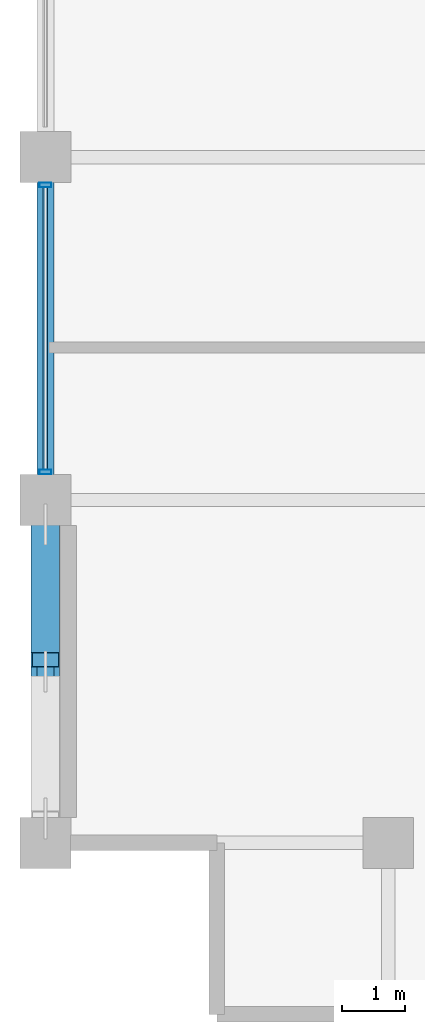
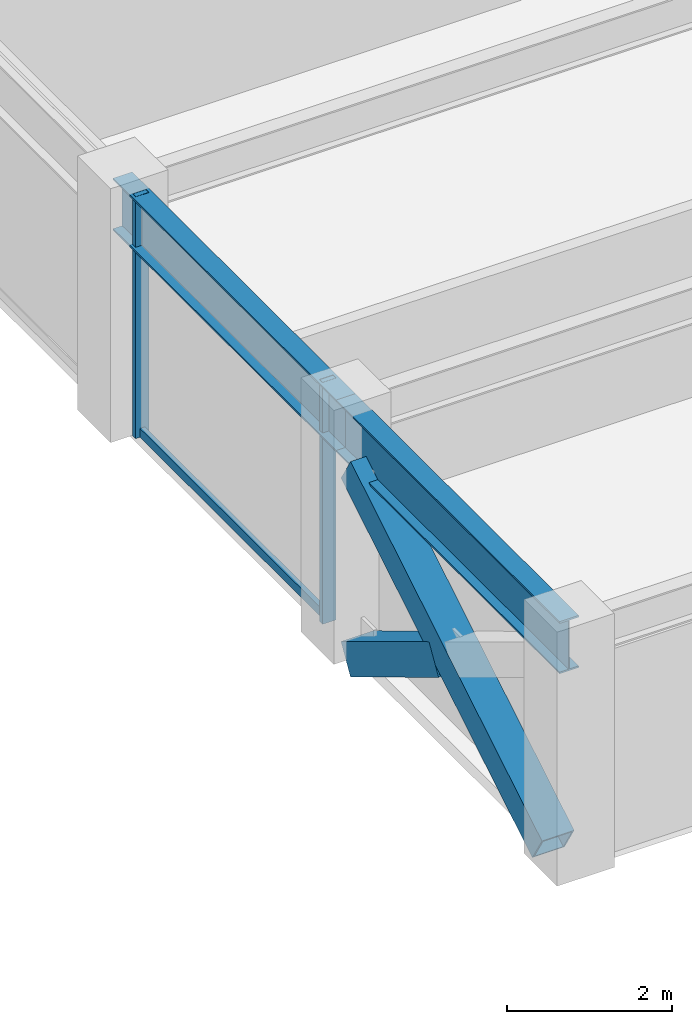
# One storey, part 4 of 32: 5 members, 2 beams, 1 element without a shape of its own.
"""IFC4 building model written with IfcOpenShell, lengths in metres."""

from ifc_helpers import new_model, si_unit, direction, frame, origin, origin_2d, place, context, subcontext, project, spatial, hollow_rectangle, i_section, extrude, material, layer, layer_set, material_profile, profile_set, type_object, element, aggregate, save


model = new_model("IFC4")

# Units and contexts
model_context = context("Model", 3, precision=1e-05, world=origin(), true_north=direction((0.0, 1.0)))
body_context = subcontext(model_context, "Body", "Model", "MODEL_VIEW")
ifc_project = project(units=[si_unit("LENGTHUNIT", "METRE"), si_unit("AREAUNIT", "SQUARE_METRE"), si_unit("VOLUMEUNIT", "CUBIC_METRE"), si_unit("PLANEANGLEUNIT", "RADIAN"), si_unit("MASSUNIT", "GRAM", prefix="KILO")], contexts=[model_context])

# Site, building, storey
site_placement = place(None, origin())
site = spatial("IfcSite", under=ifc_project, at=site_placement, CompositionType="ELEMENT")
building_placement = place(site_placement, origin())
building = spatial("IfcBuilding", under=site, at=building_placement, Name="Surkhivell Harbour Commons", CompositionType="ELEMENT")
storey_placement = place(building_placement, frame((0.0, 0.0, 223.5)))
storey = spatial("IfcBuildingStorey", under=building, at=storey_placement, Name="L58", CompositionType="ELEMENT", Elevation=223.5)

# Beams
ifc_material_1 = material(Name="Steel S355", Category="steel")
ifc_material_profile_1 = material_profile(ifc_material_1, i_section(OverallWidth=0.26806640625, OverallDepth=0.77001953125, WebThickness=0.015625, FlangeThickness=0.025390625, at=origin_2d()), Name="UB762x267x197")
ifc_profile_set_1 = profile_set([ifc_material_profile_1], Name="Steel S355")
beam_type = type_object("IfcBeamType", Name="BM-SPN-762", PredefinedType="SPANDREL", material=ifc_profile_set_1)
beam_1_placement = place(storey_placement, frame((-27.0, -16.199951171875, 3.18505859375), z_axis=(0.0, 1.0, 0.0), x_axis=(-1.0, 0.0, 0.0)))
element("IfcBeam", 1, at=beam_1_placement, inside=storey, type_object=beam_type, Name="L58 Tube Spandrel (-27.0,-16.2)", PredefinedType="SPANDREL", context=body_context, shape_type="SweptSolid", body=[
    extrude(i_section(OverallWidth=0.26806640625, OverallDepth=0.77001953125, WebThickness=0.015625, FlangeThickness=0.025390625, at=origin_2d()), origin(), (0.0, 0.0, 1.0), 5.39990234375),
])
beam_2_placement = place(storey_placement, frame((-27.0, -10.800048828125, 3.18505859375), z_axis=(0.0, 1.0, 0.0), x_axis=(-1.0, 0.0, 0.0)))
element("IfcBeam", 2, at=beam_2_placement, inside=storey, type_object=beam_type, Name="L58 Tube Spandrel (-27.0,-10.8)", PredefinedType="SPANDREL", context=body_context, shape_type="SweptSolid", body=[
    extrude(i_section(OverallWidth=0.26806640625, OverallDepth=0.77001953125, WebThickness=0.015625, FlangeThickness=0.025390625, at=origin_2d()), origin(), (0.0, 0.0, 1.0), 5.400146484375),
])

# Curtain wall, members
ifc_material_2 = material(Name="Anodised pale-metal aluminium and insulated glazing", Category="aluminium")
ifc_layer = layer(ifc_material_2, 0.18994140625)
ifc_layer_set = layer_set([ifc_layer], Name="Anodised pale-metal aluminium and insulated glazing")
curtain_wall_type = type_object("IfcCurtainWallType", Name="CW-SYS-Z3", PredefinedType="NOTDEFINED", material=ifc_layer_set)
curtain_wall_placement = place(storey_placement, origin())
curtain_wall = element("IfcCurtainWall", 3, at=curtain_wall_placement, inside=storey, type_object=curtain_wall_type, Name="L58 Curtain Wall CW-L58-E12S1", PredefinedType="NOTDEFINED")
ifc_material_3 = material(Name="Anodised pale-metal aluminium alloy 6063-T6", Category="aluminium")
ifc_material_profile_2 = material_profile(ifc_material_3, hollow_rectangle(XDim=0.074951171875, YDim=0.18994140625, WallThickness=0.00390625, at=origin_2d()), Name="ALU-MULL-75x190")
ifc_profile_set_2 = profile_set([ifc_material_profile_2], Name="Anodised pale-metal aluminium alloy 6063-T6")
member_type_1 = type_object("IfcMemberType", Name="CWM-190", PredefinedType="MULLION", material=ifc_profile_set_2)
member_1_placement = place(storey_placement, frame((-27.0, -5.839599609375, 0.0), z_axis=(0.0, 0.0, 1.0), x_axis=(0.0, -1.0, 0.0)))
member_1 = element("IfcMember", 4, at=member_1_placement, type_object=member_type_1, Name="CW-Z3 mullion 6", PredefinedType="MULLION", context=body_context, shape_type="SweptSolid", body=[
    extrude(hollow_rectangle(XDim=0.074951171875, YDim=0.18994140625, WallThickness=0.00390625, at=origin_2d()), origin(), (0.0, 0.0, 1.0), 3.570068359375),
])
member_2_placement = place(storey_placement, frame((-27.0, -10.360595703125, 0.0), z_axis=(0.0, 0.0, 1.0), x_axis=(0.0, -1.0, 0.0)))
member_2 = element("IfcMember", 5, at=member_2_placement, type_object=member_type_1, Name="CW-Z3 mullion 7", PredefinedType="MULLION", context=body_context, shape_type="SweptSolid", body=[
    extrude(hollow_rectangle(XDim=0.074951171875, YDim=0.18994140625, WallThickness=0.00390625, at=origin_2d()), origin(), (0.0, 0.0, 1.0), 3.570068359375),
])
ifc_material_4 = material(Name="Champagne anodised aluminium alloy 6063-T6", Category="aluminium")
ifc_material_profile_3 = material_profile(ifc_material_4, hollow_rectangle(XDim=0.070068359375, YDim=0.1298828125, WallThickness=0.00341796875, at=origin_2d()), Name="ALU-TRAN-70x130")
ifc_profile_set_3 = profile_set([ifc_material_profile_3], Name="Champagne anodised aluminium alloy 6063-T6")
member_type_2 = type_object("IfcMemberType", Name="CWT-130", PredefinedType="USERDEFINED", material=ifc_profile_set_3)
member_3_placement = place(storey_placement, frame((-27.0, -5.876953125, 0.06494140625), z_axis=(0.0, -1.0, 0.0), x_axis=(1.0, 0.0, 0.0)))
member_3 = element("IfcMember", 6, at=member_3_placement, type_object=member_type_2, Name="CW-Z3 transom 6.1", ObjectType="TRANSOM", PredefinedType="USERDEFINED", context=body_context, shape_type="SweptSolid", body=[
    extrude(hollow_rectangle(XDim=0.070068359375, YDim=0.1298828125, WallThickness=0.00341796875, at=origin_2d()), origin(), (0.0, 0.0, 1.0), 4.446044921875),
])
aggregate(curtain_wall, [member_1, member_2, member_3])

# Members
ifc_material_5 = material(Name="Steel S460", Category="steel")
ifc_material_profile_4 = material_profile(ifc_material_5, hollow_rectangle(XDim=0.449951171875, YDim=0.449951171875, WallThickness=0.02197265625, at=origin_2d()), Name="SHS450x450x22")
ifc_profile_set_4 = profile_set([ifc_material_profile_4], Name="Steel S460")
member_type_3 = type_object("IfcMemberType", Name="MEM-BRC-SHS450", PredefinedType="BRACE", material=ifc_profile_set_4)
member_4_placement = place(storey_placement, frame((-27.0, -15.81494140625, 0.008056640625), z_axis=(0.0, 0.856023742961, 0.516936506243), x_axis=(-1.0, 0.0, 0.0)))
element("IfcMember", 7, at=member_4_placement, inside=storey, type_object=member_type_3, Name="L58 Perimeter Mega-Brace MB- 10", PredefinedType="BRACE", context=body_context, shape_type="SweptSolid", body=[
    extrude(hollow_rectangle(XDim=0.449951171875, YDim=0.449951171875, WallThickness=0.02197265625, at=origin_2d()), origin(), (0.0, 0.0, 1.0), 5.40869140625),
])
member_5_placement = place(storey_placement, frame((-27.0, -11.18505859375, 0.008056640625), z_axis=(0.0, -0.856061168755, 0.516874525731), x_axis=(1.0, 0.0, 0.0)))
element("IfcMember", 8, at=member_5_placement, inside=storey, type_object=member_type_3, Name="L58 Perimeter Mega-Brace MB- 11", PredefinedType="BRACE", context=body_context, shape_type="SweptSolid", body=[
    extrude(hollow_rectangle(XDim=0.449951171875, YDim=0.449951171875, WallThickness=0.02197265625, at=origin_2d()), origin(), (0.0, 0.0, 1.0), 2.48828125),
])

save(model, "model.ifc")
